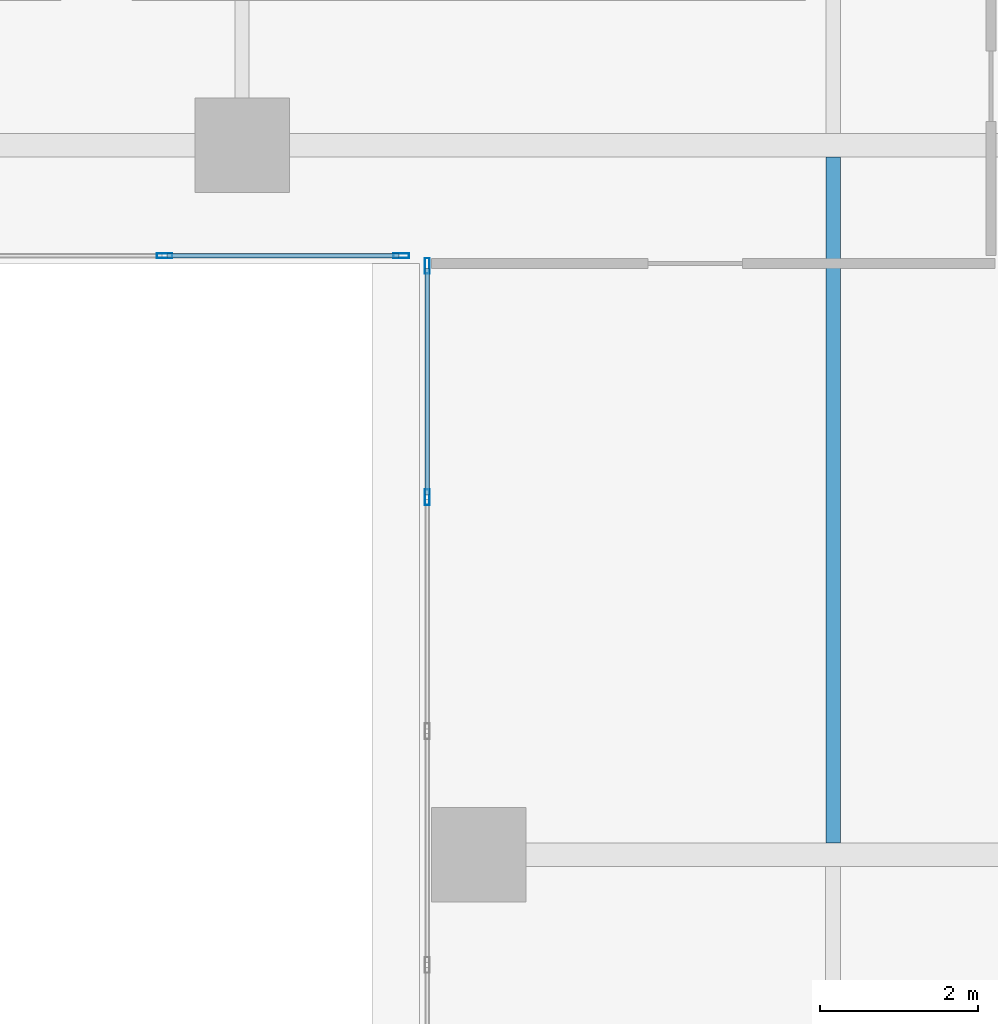
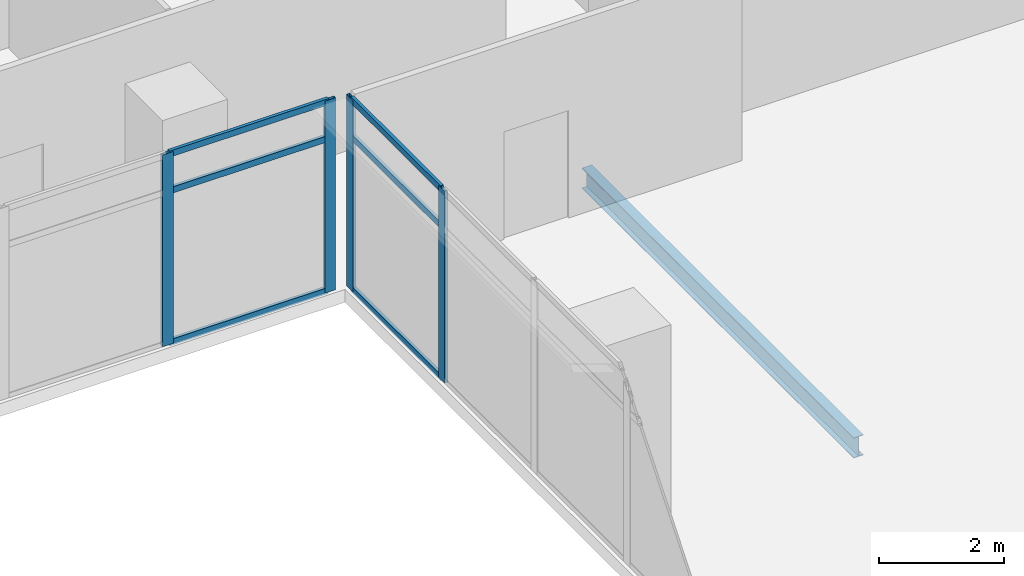
# One storey, part 12 of 40: 10 members, 1 beam, 2 elements without a shape of their own.
"""IFC4 building model written with IfcOpenShell, lengths in metres."""

from ifc_helpers import new_model, si_unit, direction, frame, origin, origin_2d, place, context, subcontext, project, spatial, hollow_rectangle, i_section, extrude, source, transform, mapped, material, material_profile, profile_set, type_object, element, aggregate, save


model = new_model("IFC4")

# Units and contexts
model_context = context("Model", 3, precision=1e-05, world=origin(), true_north=direction((0.0, 1.0)))
body_context = subcontext(model_context, "Body", "Model", "MODEL_VIEW")
ifc_project = project(units=[si_unit("LENGTHUNIT", "METRE"), si_unit("AREAUNIT", "SQUARE_METRE"), si_unit("VOLUMEUNIT", "CUBIC_METRE"), si_unit("PLANEANGLEUNIT", "RADIAN"), si_unit("MASSUNIT", "GRAM", prefix="KILO")], contexts=[model_context])

# Site, building, storey
site_placement = place(None, origin())
site = spatial("IfcSite", under=ifc_project, at=site_placement, CompositionType="ELEMENT")
building_placement = place(site_placement, origin())
building = spatial("IfcBuilding", under=site, at=building_placement, Name="Khomas Fold Tower", CompositionType="ELEMENT")
storey_placement = place(building_placement, frame((0.0, 0.0, 176.699951171875)))
storey = spatial("IfcBuildingStorey", under=building, at=storey_placement, Name="L38", CompositionType="ELEMENT", Elevation=176.699951171875)

# Beam
ifc_material_1 = material(Name="Steel S355", Category="steel")
ifc_material_profile_1 = material_profile(ifc_material_1, i_section(OverallWidth=0.179931640625, OverallDepth=0.39990234375, WebThickness=0.008544921875, FlangeThickness=0.013427734375, at=origin_2d()), Name="IPE 400")
ifc_profile_set_1 = profile_set([ifc_material_profile_1], Name="Steel S355")
beam_type = type_object("IfcBeamType", Name="IPE 400 beam JB3", PredefinedType="BEAM", material=ifc_profile_set_1)
shared_shape_1 = source(origin(), body_context, "Body", "SweptSolid", [
    extrude(i_section(OverallWidth=0.179931640625, OverallDepth=0.39990234375, WebThickness=0.008544921875, FlangeThickness=0.013427734375, at=origin_2d()), origin(), (0.0, 0.0, 1.0), 8.7001953125),
])
beam_placement = place(storey_placement, frame((42.0, 13.64990234375, -0.449951171875), z_axis=(0.0, 1.0, 0.0), x_axis=(-1.0, 0.0, 0.0)))
element("IfcBeam", 1, at=beam_placement, inside=storey, type_object=beam_type, Name="JB3", PredefinedType="BEAM", context=body_context, shape_type="MappedRepresentation", body=[
    mapped(shared_shape_1, transform((0.0, 0.0, 0.0))),
])

# Curtain wall, members
ifc_material_2 = material(Name="Aluminium framed double glazing", Category="aluminium")
curtain_wall_type = type_object("IfcCurtainWallType", Name="Notch glazing GN-CW", PredefinedType="NOTDEFINED", material=ifc_material_2)
curtain_wall_1_placement = place(storey_placement, origin())
curtain_wall_1 = element("IfcCurtainWall", 2, at=curtain_wall_1_placement, inside=storey, type_object=curtain_wall_type, Name="Notch glazing run", PredefinedType="NOTDEFINED")
ifc_material_3 = material(Name="Aluminium", Category="aluminium")
ifc_material_profile_2 = material_profile(ifc_material_3, hollow_rectangle(XDim=0.06005859375, YDim=0.1201171875, WallThickness=0.00390625, at=origin_2d()), Name="Notch glazing transom GN-CW-T")
ifc_profile_set_2 = profile_set([ifc_material_profile_2], Name="Aluminium")
member_type_1 = type_object("IfcMemberType", Name="Notch glazing transom GN-CW-T", PredefinedType="USERDEFINED", material=ifc_profile_set_2)
shared_shape_2 = source(origin(), body_context, "Body", "SweptSolid", [
    extrude(hollow_rectangle(XDim=0.06005859375, YDim=0.1201171875, WallThickness=0.00390625, at=origin_2d()), origin(), (0.0, 0.0, 1.0), 2.876708984375),
])
member_1_placement = place(storey_placement, frame((36.85009765625, 20.93994140625, 0.030029296875), z_axis=(0.0, -1.0, 0.0), x_axis=(1.0, 0.0, 0.0)))
member_1 = element("IfcMember", 3, at=member_1_placement, type_object=member_type_1, Name="GN-CW transom 1.1", ObjectType="TRANSOM", PredefinedType="USERDEFINED", context=body_context, shape_type="MappedRepresentation", body=[
    mapped(shared_shape_2, transform((0.0, 0.0, 0.0))),
])
member_2_placement = place(storey_placement, frame((36.85009765625, 20.93994140625, 3.0), z_axis=(0.0, -1.0, 0.0), x_axis=(1.0, 0.0, 0.0)))
member_2 = element("IfcMember", 4, at=member_2_placement, type_object=member_type_1, Name="GN-CW transom 1.2", ObjectType="TRANSOM", PredefinedType="USERDEFINED", context=body_context, shape_type="MappedRepresentation", body=[
    mapped(shared_shape_2, transform((0.0, 0.0, 0.0))),
])
member_3_placement = place(storey_placement, frame((36.85009765625, 20.93994140625, 3.719970703125), z_axis=(0.0, -1.0, 0.0), x_axis=(1.0, 0.0, 0.0)))
member_3 = element("IfcMember", 5, at=member_3_placement, type_object=member_type_1, Name="GN-CW transom 1.3", ObjectType="TRANSOM", PredefinedType="USERDEFINED", context=body_context, shape_type="MappedRepresentation", body=[
    mapped(shared_shape_2, transform((0.0, 0.0, 0.0))),
])

curtain_wall_2_placement = place(storey_placement, origin())
curtain_wall_2 = element("IfcCurtainWall", 6, at=curtain_wall_2_placement, inside=storey, type_object=curtain_wall_type, Name="Notch glazing run", PredefinedType="NOTDEFINED")
ifc_material_4 = material(Name="Aluminium", Category="aluminium")
ifc_material_profile_3 = material_profile(ifc_material_4, hollow_rectangle(XDim=0.06005859375, YDim=0.199951171875, WallThickness=0.00390625, at=origin_2d()), Name="Notch glazing mullion GN-CW-M")
ifc_profile_set_3 = profile_set([ifc_material_profile_3], Name="Aluminium")
member_type_2 = type_object("IfcMemberType", Name="Notch glazing mullion GN-CW-M", PredefinedType="MULLION", material=ifc_profile_set_3)
shared_shape_3 = source(origin(), body_context, "Body", "SweptSolid", [
    extrude(hollow_rectangle(XDim=0.06005859375, YDim=0.199951171875, WallThickness=0.00390625, at=origin_2d()), origin(), (0.0, 0.0, 1.0), 3.75),
])
member_4_placement = place(storey_placement, frame((33.5166015625, 21.10009765625, 0.0), z_axis=(0.0, 0.0, 1.0), x_axis=(0.0, 1.0, 0.0)))
member_4 = element("IfcMember", 7, at=member_4_placement, type_object=member_type_2, Name="GN-CW mullion 3", PredefinedType="MULLION", context=body_context, shape_type="MappedRepresentation", body=[
    mapped(shared_shape_3, transform((0.0, 0.0, 0.0))),
])
member_5_placement = place(storey_placement, frame((36.52001953125, 21.10009765625, 0.0), z_axis=(0.0, 0.0, 1.0), x_axis=(0.0, 1.0, 0.0)))
member_5 = element("IfcMember", 8, at=member_5_placement, type_object=member_type_2, Name="GN-CW mullion 4", PredefinedType="MULLION", context=body_context, shape_type="MappedRepresentation", body=[
    mapped(shared_shape_3, transform((0.0, 0.0, 0.0))),
])

# Member
member_6_placement = place(storey_placement, frame((36.85009765625, 20.969970703125, 0.0), z_axis=(0.0, 0.0, 1.0), x_axis=(1.0, 0.0, 0.0)))
member_6 = element("IfcMember", 9, at=member_6_placement, type_object=member_type_2, Name="GN-CW mullion 1", PredefinedType="MULLION", context=body_context, shape_type="MappedRepresentation", body=[
    mapped(shared_shape_3, transform((0.0, 0.0, 0.0))),
])

member_7_placement = place(storey_placement, frame((36.85009765625, 18.033447265625, 0.0), z_axis=(0.0, 0.0, 1.0), x_axis=(1.0, 0.0, 0.0)))
member_7 = element("IfcMember", 10, at=member_7_placement, type_object=member_type_2, Name="GN-CW mullion 2", PredefinedType="MULLION", context=body_context, shape_type="MappedRepresentation", body=[
    mapped(shared_shape_3, transform((0.0, 0.0, 0.0))),
])

aggregate(curtain_wall_1, [member_6, member_7, member_1, member_2, member_3])

shared_shape_4 = source(origin(), body_context, "Body", "SweptSolid", [
    extrude(hollow_rectangle(XDim=0.06005859375, YDim=0.1201171875, WallThickness=0.00390625, at=origin_2d()), origin(), (0.0, 0.0, 1.0), 2.943359375),
])
member_8_placement = place(storey_placement, frame((33.546630859375, 21.10009765625, 0.030029296875), z_axis=(1.0, 0.0, 0.0), x_axis=(0.0, 1.0, 0.0)))
member_8 = element("IfcMember", 11, at=member_8_placement, type_object=member_type_1, Name="GN-CW transom 3.1", ObjectType="TRANSOM", PredefinedType="USERDEFINED", context=body_context, shape_type="MappedRepresentation", body=[
    mapped(shared_shape_4, transform((0.0, 0.0, 0.0))),
])

member_9_placement = place(storey_placement, frame((33.546630859375, 21.10009765625, 3.0), z_axis=(1.0, 0.0, 0.0), x_axis=(0.0, 1.0, 0.0)))
member_9 = element("IfcMember", 12, at=member_9_placement, type_object=member_type_1, Name="GN-CW transom 3.2", ObjectType="TRANSOM", PredefinedType="USERDEFINED", context=body_context, shape_type="MappedRepresentation", body=[
    mapped(shared_shape_4, transform((0.0, 0.0, 0.0))),
])

member_10_placement = place(storey_placement, frame((33.546630859375, 21.10009765625, 3.719970703125), z_axis=(1.0, 0.0, 0.0), x_axis=(0.0, 1.0, 0.0)))
member_10 = element("IfcMember", 13, at=member_10_placement, type_object=member_type_1, Name="GN-CW transom 3.3", ObjectType="TRANSOM", PredefinedType="USERDEFINED", context=body_context, shape_type="MappedRepresentation", body=[
    mapped(shared_shape_4, transform((0.0, 0.0, 0.0))),
])

aggregate(curtain_wall_2, [member_4, member_5, member_8, member_9, member_10])

save(model, "model.ifc")
